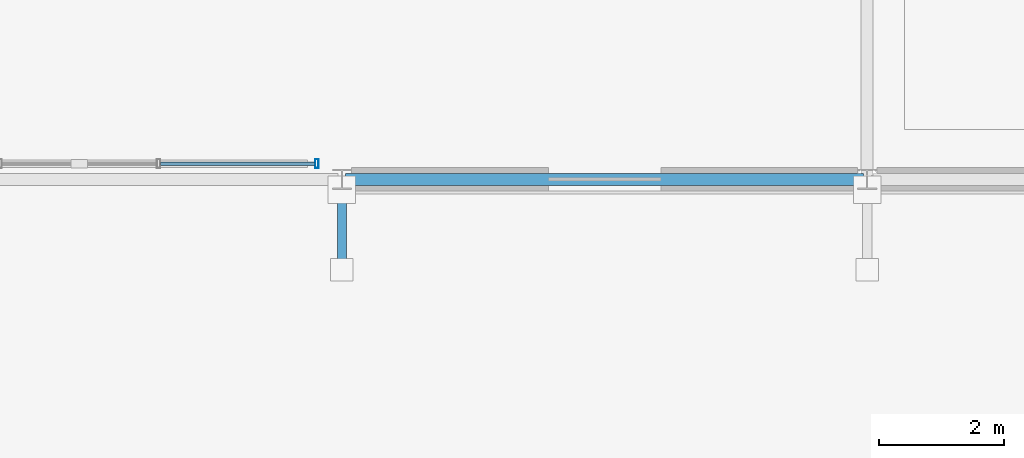
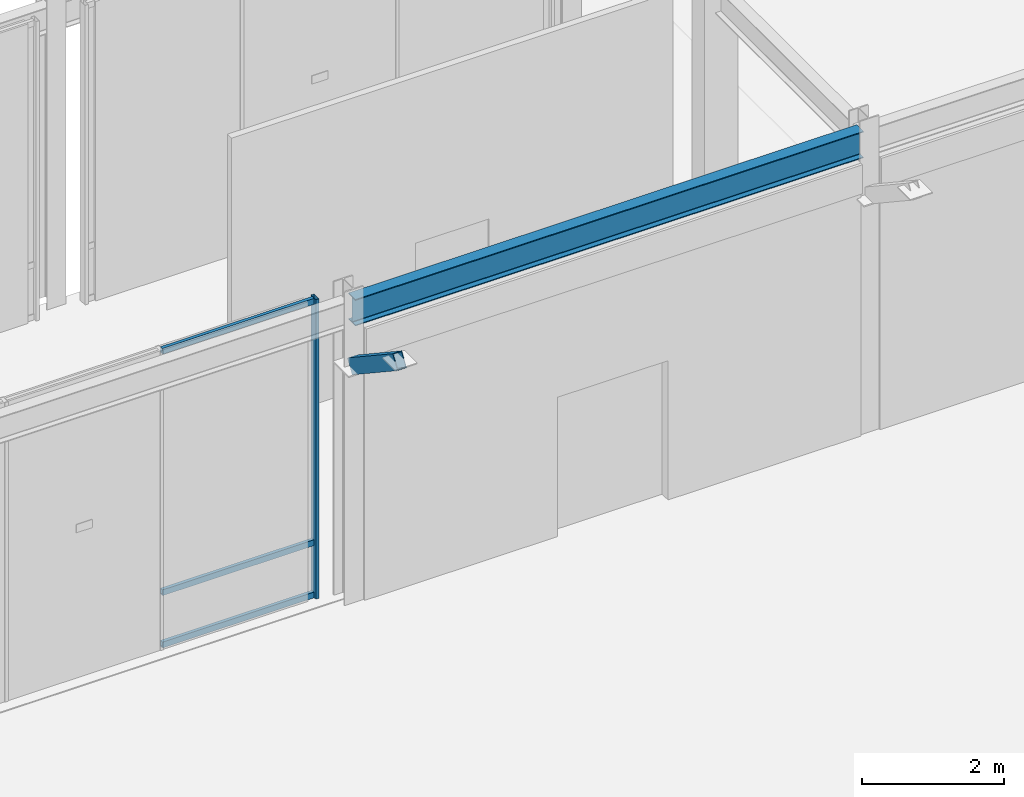
# One storey, part 25 of 157: 5 members, 1 beam, 1 element without a shape of its own.
"""IFC4 building model written with IfcOpenShell, lengths in metres."""

from ifc_helpers import new_model, si_unit, direction, frame, origin, origin_2d, place, context, subcontext, project, spatial, hollow_rectangle, i_section, extrude, material, material_profile, profile_set, type_object, element, aggregate, save


model = new_model("IFC4")

# Units and contexts
model_context = context("Model", 3, precision=1e-05, world=origin(), true_north=direction((0.0, 1.0)))
body_context = subcontext(model_context, "Body", "Model", "MODEL_VIEW")
ifc_project = project(units=[si_unit("LENGTHUNIT", "METRE"), si_unit("AREAUNIT", "SQUARE_METRE"), si_unit("VOLUMEUNIT", "CUBIC_METRE"), si_unit("PLANEANGLEUNIT", "RADIAN"), si_unit("MASSUNIT", "GRAM", prefix="KILO"), si_unit("THERMODYNAMICTEMPERATUREUNIT", "KELVIN"), si_unit("POWERUNIT", "WATT")], contexts=[model_context])

# Site, building, storey
site_placement = place(None, origin())
site = spatial("IfcSite", under=ifc_project, at=site_placement, CompositionType="ELEMENT")
building_placement = place(site_placement, origin())
building = spatial("IfcBuilding", under=site, at=building_placement, Name="Darbajah Civic Hall", CompositionType="ELEMENT")
storey_placement = place(building_placement, origin())
storey = spatial("IfcBuildingStorey", under=building, at=storey_placement, Name="L00", CompositionType="ELEMENT", Elevation=0.0)

# Curtain wall, members
ifc_material_1 = material(Name="Anodised Bronze Aluminium and Low-E Glazing", Category="aluminium")
curtain_wall_type = type_object("IfcCurtainWallType", Name="Unitised Curtain Wall CW-101 7600x5150", PredefinedType="USERDEFINED", material=ifc_material_1)
curtain_wall_placement = place(storey_placement, origin())
curtain_wall = element("IfcCurtainWall", 1, at=curtain_wall_placement, inside=storey, type_object=curtain_wall_type, Name="L00 unitised curtain wall CW-V6-SW-S-L00", ObjectType="UNITISED CURTAIN WALL", PredefinedType="USERDEFINED")
ifc_material_2 = material(Name="Anodised Bronze Aluminium", Category="aluminium")
ifc_material_profile_1 = material_profile(ifc_material_2, hollow_rectangle(XDim=0.054931640625, YDim=0.139892578125, WallThickness=0.003173828125, at=origin_2d()), Name="ALU MULLION 55x140")
ifc_profile_set_1 = profile_set([ifc_material_profile_1], Name="Anodised Bronze Aluminium")
member_type_1 = type_object("IfcMemberType", Name="ALU MULLION 55x140", PredefinedType="MULLION", material=ifc_profile_set_1)
member_1_placement = place(storey_placement, frame((75.199951171875, 33.85009765625, 0.0), z_axis=(0.0, 0.0, 1.0), x_axis=(1.0, 0.0, 0.0)))
member_1 = element("IfcMember", 2, at=member_1_placement, type_object=member_type_1, Name="CW-V6-SW-S-L00 mullion 4", PredefinedType="MULLION", context=body_context, shape_type="SweptSolid", body=[
    extrude(hollow_rectangle(XDim=0.054931640625, YDim=0.139892578125, WallThickness=0.003173828125, at=origin_2d()), origin(), (0.0, 0.0, 1.0), 5.159912109375),
])
ifc_material_profile_2 = material_profile(ifc_material_2, hollow_rectangle(XDim=0.054931640625, YDim=0.10009765625, WallThickness=0.0029296875, at=origin_2d()), Name="ALU TRANSOM 55x100")
ifc_profile_set_2 = profile_set([ifc_material_profile_2], Name="Anodised Bronze Aluminium")
member_type_2 = type_object("IfcMemberType", Name="ALU TRANSOM 55x100", PredefinedType="USERDEFINED", material=ifc_profile_set_2)
member_2_placement = place(storey_placement, frame((72.69921875, 33.85009765625, 0.050048828125), z_axis=(1.0, 0.0, 0.0), x_axis=(0.0, 1.0, 0.0)))
member_2 = element("IfcMember", 3, at=member_2_placement, type_object=member_type_2, Name="CW-V6-SW-S-L00 transom 3.1", ObjectType="TRANSOM", PredefinedType="USERDEFINED", context=body_context, shape_type="SweptSolid", body=[
    extrude(hollow_rectangle(XDim=0.054931640625, YDim=0.10009765625, WallThickness=0.0029296875, at=origin_2d()), origin(), (0.0, 0.0, 1.0), 2.46826171875),
])
member_3_placement = place(storey_placement, frame((72.69921875, 33.85009765625, 0.949951171875), z_axis=(1.0, 0.0, 0.0), x_axis=(0.0, 1.0, 0.0)))
member_3 = element("IfcMember", 4, at=member_3_placement, type_object=member_type_2, Name="CW-V6-SW-S-L00 transom 3.2", ObjectType="TRANSOM", PredefinedType="USERDEFINED", context=body_context, shape_type="SweptSolid", body=[
    extrude(hollow_rectangle(XDim=0.054931640625, YDim=0.10009765625, WallThickness=0.0029296875, at=origin_2d()), origin(), (0.0, 0.0, 1.0), 2.46826171875),
])
member_4_placement = place(storey_placement, frame((72.69921875, 33.85009765625, 5.110107421875), z_axis=(1.0, 0.0, 0.0), x_axis=(0.0, 1.0, 0.0)))
member_4 = element("IfcMember", 5, at=member_4_placement, type_object=member_type_2, Name="CW-V6-SW-S-L00 transom 3.3", ObjectType="TRANSOM", PredefinedType="USERDEFINED", context=body_context, shape_type="SweptSolid", body=[
    extrude(hollow_rectangle(XDim=0.054931640625, YDim=0.10009765625, WallThickness=0.0029296875, at=origin_2d()), origin(), (0.0, 0.0, 1.0), 2.46826171875),
])
aggregate(curtain_wall, [member_1, member_2, member_3, member_4])

# Member
ifc_material_3 = material(Name="Steel S355JR", Category="steel")
ifc_material_profile_3 = material_profile(ifc_material_3, hollow_rectangle(XDim=0.14990234375, YDim=0.25, WallThickness=0.010009765625, at=origin_2d()), Name="RHS 250x150x10")
ifc_profile_set_3 = profile_set([ifc_material_profile_3], Name="Steel S355JR")
member_type_3 = type_object("IfcMemberType", Name="RHS 250x150x10", PredefinedType="STRUT", material=ifc_profile_set_3)
member_5_placement = place(storey_placement, frame((75.60009765625, 33.431884765625, 4.10009765625), z_axis=(0.0, -0.833488262509, 0.552537162787), x_axis=(1.0, 0.0, 0.0)))
element("IfcMember", 6, at=member_5_placement, inside=storey, type_object=member_type_3, Name="L00 chhajja canopy raking strut 1", PredefinedType="STRUT", context=body_context, shape_type="SweptSolid", body=[
    extrude(hollow_rectangle(XDim=0.14990234375, YDim=0.25, WallThickness=0.010009765625, at=origin_2d()), origin(), (0.0, 0.0, 1.0), 1.5380859375),
])

# Beam
ifc_material_profile_4 = material_profile(ifc_material_3, i_section(OverallWidth=0.1904296875, OverallDepth=0.45703125, WebThickness=0.009033203125, FlangeThickness=0.014404296875, FilletRadius=0.01025390625, at=origin_2d()), Name="UB 457x191x74")
ifc_profile_set_4 = profile_set([ifc_material_profile_4], Name="Steel S355JR")
beam_type = type_object("IfcBeamType", Name="UB 457x191x74", PredefinedType="BEAM", material=ifc_profile_set_4)
beam_placement = place(storey_placement, frame((75.659912109375, 33.60009765625, 4.931396484375), z_axis=(1.0, 0.0, 0.0), x_axis=(0.0, 1.0, 0.0)))
element("IfcBeam", 7, at=beam_placement, inside=storey, type_object=beam_type, Name="L00 beam SB-457", PredefinedType="BEAM", context=body_context, shape_type="SweptSolid", body=[
    extrude(i_section(OverallWidth=0.1904296875, OverallDepth=0.45703125, WebThickness=0.009033203125, FlangeThickness=0.014404296875, FilletRadius=0.01025390625, at=origin_2d()), origin(), (0.0, 0.0, 1.0), 8.280029296875),
])

save(model, "model.ifc")
